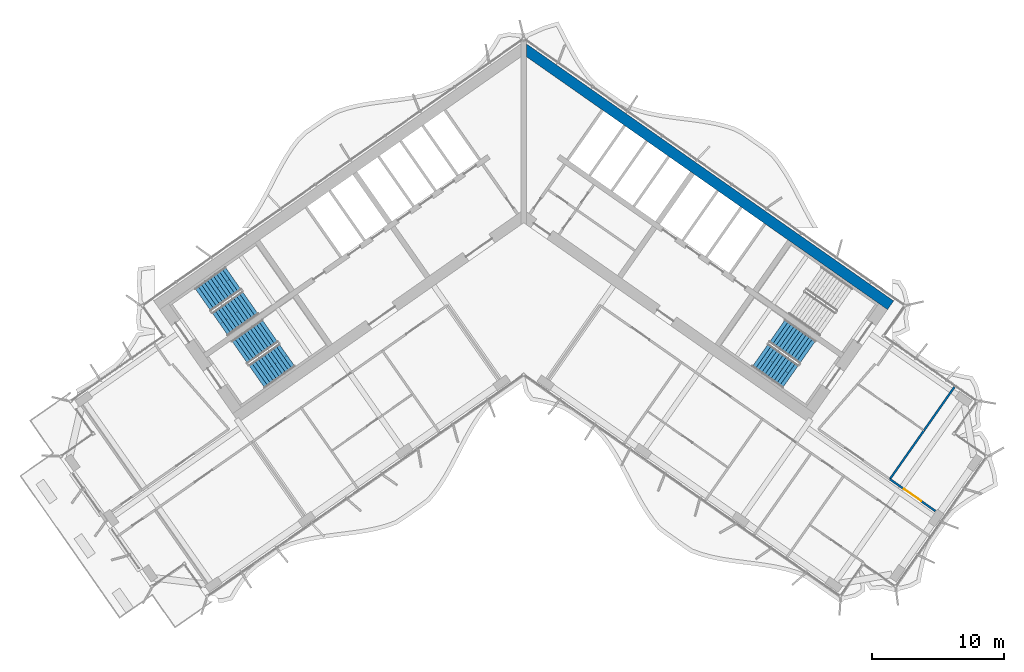
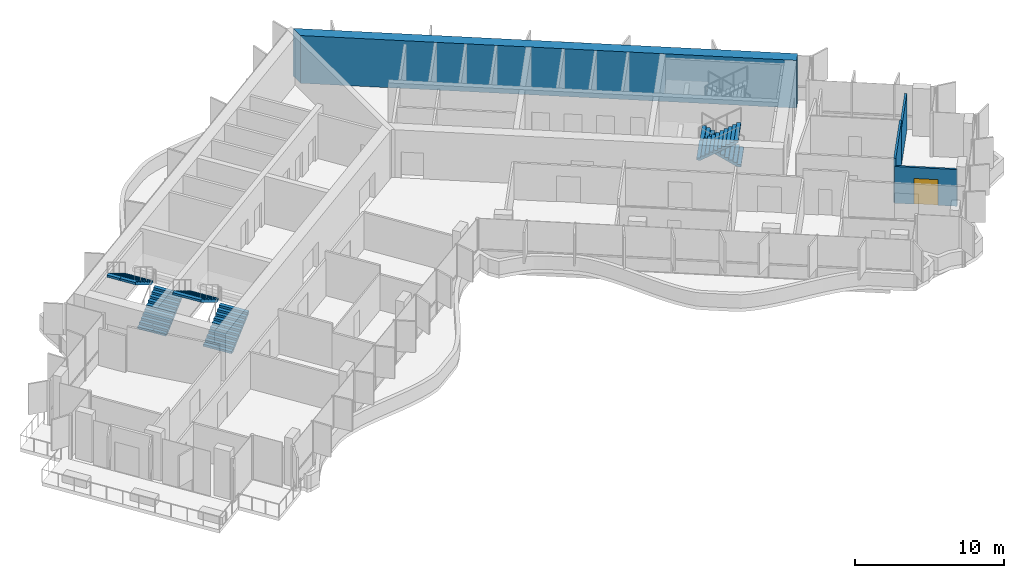
# One storey, part 15 of 22: 6 stair flights, 4 walls, 1 door, 1 opening, 3 elements without a shape of their own.
"""IFC4 building model written with IfcOpenShell, lengths in metres."""

import ifcopenshell
import ifcopenshell.guid

model = None  # the IFC model being written
_history = None  # IfcOwnerHistory: only IFC2X3 demands one
_inside = {}  # id of a spatial element -> (the spatial element, [elements in it])
_under = {}  # id of a project, library or spatial element -> (it, [spatial elements below it])
_declared = {}  # id of a project -> (the project, [libraries it declares])
_typed = {}  # id of a type object -> (the type object, [elements of that type])
_made_of = {}  # id of a material, layer set ... -> (it, [elements and type objects made of it])


def new_model(schema):
    """Start an empty IFC model of exactly this schema.

    Asked for "IFC4X3", IfcOpenShell would pick the latest addendum, in which some entities
    have other attributes; the version numbers below select the first issue.
    IFC2X3 requires an IfcOwnerHistory on every rooted entity: one is made here for all.
    """
    global model, _history
    if schema == "IFC4X3":
        model = ifcopenshell.file(schema_version=(4, 3, 0, 0))
    else:
        model = ifcopenshell.file(schema=schema)
    _inside.clear()
    _under.clear()
    _declared.clear()
    _typed.clear()
    _made_of.clear()
    _history = None
    if model.schema == "IFC2X3":
        org = make("IfcOrganization", Name="unknown")
        user = make(
            "IfcPersonAndOrganization",
            ThePerson=make("IfcPerson", FamilyName="unknown"),
            TheOrganization=org,
        )
        app = make(
            "IfcApplication",
            ApplicationDeveloper=org,
            Version="unknown",
            ApplicationFullName="unknown",
            ApplicationIdentifier="unknown",
        )
        _history = make(
            "IfcOwnerHistory",
            OwningUser=user,
            OwningApplication=app,
            ChangeAction="ADDED",
            CreationDate=0,
        )
    return model


def make(cls, **values):
    """One entity of the class cls with the attributes given. An attribute that is None is left unset."""
    return model.create_entity(
        cls, **{name: value for name, value in values.items() if value is not None}
    )


def rooted(cls, **values):
    """An entity with a GlobalId (a new one), such as an element, a storey or a relation."""
    return make(cls, GlobalId=ifcopenshell.guid.new(), OwnerHistory=_history, **values)


def si_unit(unit_type, name, prefix=None):
    """IfcSIUnit, for example si_unit("LENGTHUNIT", "METRE", prefix="MILLI")."""
    return make("IfcSIUnit", UnitType=unit_type, Prefix=prefix, Name=name)


def assignment(units):
    """IfcUnitAssignment: the units of a project."""
    return None if units is None else make("IfcUnitAssignment", Units=units)


def point(xyz):
    """IfcCartesianPoint."""
    return None if xyz is None else make("IfcCartesianPoint", Coordinates=xyz)


def direction(xyz):
    """IfcDirection."""
    return None if xyz is None else make("IfcDirection", DirectionRatios=xyz)


def frame(location, z_axis=None, x_axis=None):
    """IfcAxis2Placement3D, a coordinate frame: its origin and axes. An axis left out is left unset."""
    return make(
        "IfcAxis2Placement3D",
        Location=point(location),
        Axis=direction(z_axis),
        RefDirection=direction(x_axis),
    )


def frame_2d(location, x_axis=None):
    """IfcAxis2Placement2D, a coordinate frame in the plane: its origin and x axis."""
    return make(
        "IfcAxis2Placement2D", Location=point(location), RefDirection=direction(x_axis)
    )


def origin():
    """The frame at (0, 0, 0) with its axes left unset."""
    return frame((0.0, 0.0, 0.0))


def place(relative_to, where):
    """IfcLocalPlacement: puts the frame where relative to a parent placement (None: the world)."""
    return make(
        "IfcLocalPlacement", PlacementRelTo=relative_to, RelativePlacement=where
    )


def context(
    kind, dimensions, precision=None, world=None, true_north=None, identifier=None
):
    """IfcGeometricRepresentationContext, for example the 3D "Model" context."""
    return make(
        "IfcGeometricRepresentationContext",
        ContextIdentifier=identifier,
        ContextType=kind,
        CoordinateSpaceDimension=dimensions,
        Precision=precision,
        WorldCoordinateSystem=world,
        TrueNorth=true_north,
    )


def subcontext(parent, identifier, kind, view, scale=None):
    """IfcGeometricRepresentationSubContext, for example "Body" below "Model"."""
    return make(
        "IfcGeometricRepresentationSubContext",
        ContextIdentifier=identifier,
        ContextType=kind,
        ParentContext=parent,
        TargetScale=scale,
        TargetView=view,
    )


def project(units=None, contexts=None):
    """IfcProject with its units and contexts."""
    return rooted(
        "IfcProject",
        Name="project",
        RepresentationContexts=contexts,
        UnitsInContext=assignment(units),
    )


def spatial(cls, under=None, at=None, **own):
    """A site, building, storey or space (cls), placed at a placement, below another one or the project."""
    s = rooted(cls, ObjectPlacement=at, **own)
    if under is not None:
        _under.setdefault(under.id(), (under, []))[1].append(s)
    return s


def polyline(points):
    """IfcPolyline through the points."""
    return make("IfcPolyline", Points=[point(p) for p in points])


def profile(cls, at=None, kind="AREA", **sizes):
    """A parametric profile (cls). Its sizes go by their IFC names, for example OverallWidth=200.0."""
    return make(cls, ProfileType=kind, Position=at, **sizes)


def rectangle(**sizes):
    """IfcRectangleProfileDef."""
    return profile("IfcRectangleProfileDef", **sizes)


def outline(outer, holes=None, kind="AREA"):
    """IfcArbitraryClosedProfileDef: a profile drawn as a closed curve; with holes, ...WithVoids."""
    if holes is None:
        return make("IfcArbitraryClosedProfileDef", ProfileType=kind, OuterCurve=outer)
    return make(
        "IfcArbitraryProfileDefWithVoids",
        ProfileType=kind,
        OuterCurve=outer,
        InnerCurves=holes,
    )


def extrude(swept, where, along, depth):
    """IfcExtrudedAreaSolid: the profile swept, set in the frame where, extruded along a direction by depth."""
    return make(
        "IfcExtrudedAreaSolid",
        SweptArea=swept,
        Position=where,
        ExtrudedDirection=direction(along),
        Depth=depth,
    )


def shape(context_of_items, identifier, shape_type, items):
    """IfcShapeRepresentation: the items that make up one representation, for example the "Body"."""
    return make(
        "IfcShapeRepresentation",
        ContextOfItems=context_of_items,
        RepresentationIdentifier=identifier,
        RepresentationType=shape_type,
        Items=items,
    )


def material(Name=None, Category=None):
    """IfcMaterial."""
    return make("IfcMaterial", Name=Name, Category=Category)


def layer(
    of_material, thickness, ventilated=None, Name=None, Category=None, Priority=None
):
    """IfcMaterialLayer: one layer of a wall or slab, of a material (None: an air gap)."""
    return make(
        "IfcMaterialLayer",
        Material=of_material,
        LayerThickness=thickness,
        IsVentilated=ventilated,
        Name=Name,
        Category=Category,
        Priority=Priority,
    )


def layer_set(layers, Name=None):
    """IfcMaterialLayerSet."""
    return make("IfcMaterialLayerSet", MaterialLayers=layers, LayerSetName=Name)


def made_of(thing, what):
    """Note that an element or type object is made of a material, layer set ...; save() writes the relation."""
    if what is not None:
        _made_of.setdefault(what.id(), (what, []))[1].append(thing)
    return thing


def type_object(cls, material=None, **own):
    """A type object (cls), such as IfcWallType, which elements share."""
    return made_of(rooted(cls, **own), material)


def element(
    cls,
    number,
    at=None,
    inside=None,
    cuts=None,
    type_object=None,
    material=None,
    context=None,
    identifier="Body",
    shape_type=None,
    held_by="IfcProductDefinitionShape",
    body=None,
    shapes=None,
    **own,
):
    """One element of the class cls, such as IfcWall. Its Tag is "e" and its number.

    at: its placement. inside: the storey or other place that contains it. cuts: it is an
    opening in that element (IfcRelVoidsElement). A single representation is given by context,
    identifier, shape_type and body (its items); several are given by shapes. held_by: the class
    of the entity that holds the representations. save() writes the other relations.
    """
    e = rooted(cls, Tag="e%d" % number, ObjectPlacement=at, **own)
    if body is not None:
        shapes = [shape(context, identifier, shape_type, body)]
    if shapes is not None:
        e.Representation = make(held_by, Representations=shapes)
    if inside is not None:
        _inside.setdefault(inside.id(), (inside, []))[1].append(e)
    if cuts is not None:
        rooted(
            "IfcRelVoidsElement", RelatingBuildingElement=cuts, RelatedOpeningElement=e
        )
    if type_object is not None:
        _typed.setdefault(type_object.id(), (type_object, []))[1].append(e)
    return made_of(e, material)


def fill(opening, filler):
    """IfcRelFillsElement: the door or window that sits in an opening."""
    return rooted(
        "IfcRelFillsElement",
        RelatingOpeningElement=opening,
        RelatedBuildingElement=filler,
    )


def aggregate(whole, parts):
    """IfcRelAggregates: a whole, such as a stair, and the parts it consists of."""
    return rooted("IfcRelAggregates", RelatingObject=whole, RelatedObjects=parts)


def save(model, path):
    """Write the relations noted so far, then the file.

    IfcRelAggregates (storeys below a building ...), IfcRelContainedInSpatialStructure (elements
    in a storey), IfcRelDefinesByType, IfcRelAssociatesMaterial and IfcRelDeclares: one each for
    every whole, place, type object, material and project.
    """
    for whole, parts in _under.values():
        aggregate(whole, parts)
    for where, things in _inside.values():
        rooted(
            "IfcRelContainedInSpatialStructure",
            RelatedElements=things,
            RelatingStructure=where,
        )
    for kind, things in _typed.values():
        rooted("IfcRelDefinesByType", RelatedObjects=things, RelatingType=kind)
    for what, things in _made_of.values():
        rooted("IfcRelAssociatesMaterial", RelatedObjects=things, RelatingMaterial=what)
    for by, libraries in _declared.values():
        rooted("IfcRelDeclares", RelatingContext=by, RelatedDefinitions=libraries)
    model.write(path)


model = new_model("IFC4")

# Units and contexts
model_context = context("Model", 3, precision=1e-05, world=origin(), true_north=direction((0.0, 1.0)))
body_context = subcontext(model_context, "Body", "Model", "MODEL_VIEW")
ifc_project = project(units=[si_unit("LENGTHUNIT", "METRE"), si_unit("AREAUNIT", "SQUARE_METRE"), si_unit("VOLUMEUNIT", "CUBIC_METRE"), si_unit("PLANEANGLEUNIT", "RADIAN"), si_unit("MASSUNIT", "GRAM", prefix="KILO")], contexts=[model_context])

# Site, building, storey
site_placement = place(None, origin())
site = spatial("IfcSite", under=ifc_project, at=site_placement, CompositionType="ELEMENT")
building_placement = place(site_placement, origin())
building = spatial("IfcBuilding", under=site, at=building_placement, Name="Tel Ilan Convention Tower", CompositionType="ELEMENT")
storey_placement = place(building_placement, frame((0.0, 0.0, 202.199951171875)))
storey = spatial("IfcBuildingStorey", under=building, at=storey_placement, Name="L47", CompositionType="ELEMENT", Elevation=202.199951171875)

# Wall
ifc_material_1 = material(Name="Concrete C50/60", Category="concrete")
ifc_layer_1 = layer(ifc_material_1, 0.800048828125)
ifc_layer_set_1 = layer_set([ifc_layer_1], Name="Core Shear Wall 800 mm C50/60")
wall_type_1 = type_object("IfcWallType", Name="Core Shear Wall 800 mm C50/60", PredefinedType="SHEAR", material=ifc_layer_set_1)
wall_1_placement = place(storey_placement, frame((-0.029296875, 11.984130859375, 0.0), z_axis=(0.0, 0.0, 1.0), x_axis=(0.819151382952, -0.573577380837, 0.0)))
element("IfcWall", 1, at=wall_1_placement, inside=storey, type_object=wall_type_1, Name="L47 core wall E-back", PredefinedType="SHEAR", context=body_context, shape_type="SweptSolid", body=[
    extrude(outline(polyline([(33.897705078125, 0.400146484375), (-0.000244140625, 0.39990234375), (0.56005859375, -0.400146484375), (33.897705078125, -0.39990234375), (33.897705078125, 0.400146484375)])), origin(), (0.0, 0.0, 1.0), 3.900146484375),
])

# Wall, opening, door
ifc_material_2 = material(Name="Plasterboard on Steel Studs", Category="steel")
ifc_layer_2 = layer(ifc_material_2, 0.14990234375)
ifc_layer_set_2 = layer_set([ifc_layer_2], Name="Fire-rated Partition 150 EI 60")
wall_type_2 = type_object("IfcWallType", Name="Fire-rated Partition 150 EI 60", PredefinedType="PARTITIONING", material=ifc_layer_set_2)
wall_2_placement = place(storey_placement, frame((27.685546875, -20.6064453125, 0.0), z_axis=(0.0, 0.0, 1.0), x_axis=(0.81915821587, -0.573567622319, 0.0)))
wall_2 = element("IfcWall", 2, at=wall_2_placement, inside=storey, type_object=wall_type_2, Name="Partition 002", PredefinedType="PARTITIONING", context=body_context, shape_type="SweptSolid", body=[
    extrude(rectangle(XDim=4.2021484375, YDim=0.14990234375, at=frame_2d((2.10107421875, 0.0))), origin(), (0.0, 0.0, 1.0), 3.0),
])
opening_placement = place(wall_2_placement, frame((1.301025390625, 0.0, 0.0)))
opening = element("IfcOpeningElement", 3, at=opening_placement, cuts=wall_2, Name="Opening L47-018", PredefinedType="OPENING", context=body_context, shape_type="SweptSolid", body=[
    extrude(rectangle(XDim=1.60009765625, YDim=2.10009765625, at=frame_2d((0.800048828125, 1.050048828125))), frame((0.0, 0.0849609375, 0.0), z_axis=(0.0, -1.0, 0.0), x_axis=(1.0, 0.0, 0.0)), (0.0, 0.0, 1.0), 0.169921875),
])
ifc_material_3 = material(Name="Timber Door Leaf in Steel Frame", Category="steel")
door_type = type_object("IfcDoorType", Name="Tenant Suite Entrance Fire Door 1600x2100", OperationType="NOTDEFINED", PredefinedType="DOOR", material=ifc_material_3)
door_placement = place(opening_placement, origin())
door = element("IfcDoor", 4, at=door_placement, inside=storey, type_object=door_type, Name="Door L47-018", OperationType="DOUBLE_DOOR_SINGLE_SWING", OverallHeight=2.10009765625, OverallWidth=1.60009765625, PredefinedType="DOOR", context=body_context, shape_type="SweptSolid", body=[
    extrude(rectangle(XDim=1.60009765625, YDim=2.10009765625, at=frame_2d((0.800048828125, 1.050048828125))), frame((0.0, 0.02490234375, 0.0), z_axis=(0.0, -1.0, 0.0), x_axis=(1.0, 0.0, 0.0)), (0.0, 0.0, 1.0), 0.050048828125),
])
fill(opening, door)

# Walls
wall_3_placement = place(storey_placement, frame((32.5625, -13.644775390625, 0.0), z_axis=(0.0, 0.0, 1.0), x_axis=(-0.573589359699, -0.819142995112, 0.0)))
element("IfcWall", 5, at=wall_3_placement, inside=storey, type_object=wall_type_2, Name="Partition 016", PredefinedType="PARTITIONING", context=body_context, shape_type="SweptSolid", body=[
    extrude(rectangle(XDim=3.998779296875, YDim=0.14990234375, at=frame_2d((1.99951171875, 0.0))), origin(), (0.0, 0.0, 1.0), 3.0),
])
wall_4_placement = place(storey_placement, frame((30.268310546875, -16.92138671875, 0.0), z_axis=(0.0, 0.0, 1.0), x_axis=(-0.573586141663, -0.819145248471, 0.0)))
element("IfcWall", 6, at=wall_4_placement, inside=storey, type_object=wall_type_2, Name="Partition 019", PredefinedType="PARTITIONING", context=body_context, shape_type="SweptSolid", body=[
    extrude(rectangle(XDim=4.499755859375, YDim=0.14990234375, at=frame_2d((2.25, 0.0))), origin(), (0.0, 0.0, 1.0), 3.6201171875),
])

# Stair, stair flights
ifc_material_4 = material(Name="Concrete C40/50", Category="concrete")
stair_type = type_object("IfcStairType", Name="Pressurised Exit Stair 22 risers 177 mm", PredefinedType="HALF_TURN_STAIR", material=ifc_material_4)
stair_1_placement = place(storey_placement, origin())
stair_1 = element("IfcStair", 7, at=stair_1_placement, inside=storey, type_object=stair_type, Name="L47 Pressurised Stair S1", PredefinedType="HALF_TURN_STAIR")
ifc_material_5 = material(Name="Precast Concrete C40/50", Category="concrete")
stair_flight_type = type_object("IfcStairFlightType", Name="Concrete Stair Flight 2100 mm 22 risers 177 mm", PredefinedType="STRAIGHT", material=ifc_material_5)
stair_flight_1_placement = place(storey_placement, frame((-22.9619140625, -8.87548828125, 0.0), z_axis=(0.0, 0.0, 1.0), x_axis=(0.819152044289, 0.573576436351, 0.0)))
stair_flight_1 = element("IfcStairFlight", 8, at=stair_flight_1_placement, type_object=stair_flight_type, Name="S1 flight 1", NumberOfRisers=11, NumberOfTreads=10, PredefinedType="STRAIGHT", RiserHeight=0.177272727, TreadLength=0.28, context=body_context, shape_type="SweptSolid", body=[
    extrude(outline(polyline([(0.0, 0.0), (0.0, 0.17724609375), (0.280029296875, 0.17724609375), (0.280029296875, 0.3544921875), (0.56005859375, 0.3544921875), (0.56005859375, 0.53173828125), (0.840087890625, 0.53173828125), (0.840087890625, 0.708984375), (1.1201171875, 0.708984375), (1.1201171875, 0.886474609375), (1.39990234375, 0.886474609375), (1.39990234375, 1.063720703125), (1.679931640625, 1.063720703125), (1.679931640625, 1.240966796875), (1.9599609375, 1.240966796875), (1.9599609375, 1.418212890625), (2.239990234375, 1.418212890625), (2.239990234375, 1.595458984375), (2.52001953125, 1.595458984375), (2.52001953125, 1.772705078125), (2.800048828125, 1.772705078125), (2.800048828125, 1.949951171875), (2.800048828125, 1.59521484375), (0.2802734375, 0.0), (0.0, 0.0)])), frame((0.0, -0.100341796875, 0.0), z_axis=(0.0, -1.0, 0.0), x_axis=(1.0, 0.0, 0.0)), (0.0, 0.0, 1.0), 0.94970703125),
    extrude(outline(polyline([(0.0, 0.0), (0.0, 0.17724609375), (0.280029296875, 0.17724609375), (0.280029296875, 0.3544921875), (0.56005859375, 0.3544921875), (0.56005859375, 0.53173828125), (0.840087890625, 0.53173828125), (0.840087890625, 0.708984375), (1.1201171875, 0.708984375), (1.1201171875, 0.886474609375), (1.39990234375, 0.886474609375), (1.39990234375, 1.063720703125), (1.679931640625, 1.063720703125), (1.679931640625, 1.240966796875), (1.9599609375, 1.240966796875), (1.9599609375, 1.418212890625), (2.239990234375, 1.418212890625), (2.239990234375, 1.595458984375), (2.52001953125, 1.595458984375), (2.52001953125, 1.772705078125), (2.800048828125, 1.772705078125), (2.800048828125, 1.949951171875), (2.800048828125, 1.59521484375), (0.2802734375, 0.0), (0.0, 0.0)])), frame((0.0, -0.000244140625, 0.0), z_axis=(0.0, -1.0, 0.0), x_axis=(1.0, 0.0, 0.0)), (0.0, 0.0, 1.0), 0.099609375),
    extrude(outline(polyline([(0.0, 0.0), (0.0, 0.17724609375), (0.280029296875, 0.17724609375), (0.280029296875, 0.3544921875), (0.56005859375, 0.3544921875), (0.56005859375, 0.53173828125), (0.840087890625, 0.53173828125), (0.840087890625, 0.708984375), (1.1201171875, 0.708984375), (1.1201171875, 0.886474609375), (1.39990234375, 0.886474609375), (1.39990234375, 1.063720703125), (1.679931640625, 1.063720703125), (1.679931640625, 1.240966796875), (1.9599609375, 1.240966796875), (1.9599609375, 1.418212890625), (2.239990234375, 1.418212890625), (2.239990234375, 1.595458984375), (2.52001953125, 1.595458984375), (2.52001953125, 1.772705078125), (2.800048828125, 1.772705078125), (2.800048828125, 1.949951171875), (2.800048828125, 1.59521484375), (0.2802734375, 0.0), (0.0, 0.0)])), frame((0.0, 0.099853515625, 0.0), z_axis=(0.0, -1.0, 0.0), x_axis=(1.0, 0.0, 0.0)), (0.0, 0.0, 1.0), 0.099609375),
    extrude(outline(polyline([(0.0, 0.0), (0.0, 0.17724609375), (0.280029296875, 0.17724609375), (0.280029296875, 0.3544921875), (0.56005859375, 0.3544921875), (0.56005859375, 0.53173828125), (0.840087890625, 0.53173828125), (0.840087890625, 0.708984375), (1.1201171875, 0.708984375), (1.1201171875, 0.886474609375), (1.39990234375, 0.886474609375), (1.39990234375, 1.063720703125), (1.679931640625, 1.063720703125), (1.679931640625, 1.240966796875), (1.9599609375, 1.240966796875), (1.9599609375, 1.418212890625), (2.239990234375, 1.418212890625), (2.239990234375, 1.595458984375), (2.52001953125, 1.595458984375), (2.52001953125, 1.772705078125), (2.800048828125, 1.772705078125), (2.800048828125, 1.949951171875), (2.800048828125, 1.59521484375), (0.2802734375, 0.0), (0.0, 0.0)])), frame((0.0, 1.050048828125, 0.0), z_axis=(0.0, -1.0, 0.0), x_axis=(1.0, 0.0, 0.0)), (0.0, 0.0, 1.0), 0.94970703125),
])
stair_flight_2_placement = place(storey_placement, frame((-21.958740234375, -5.42626953125, 1.949951171875), z_axis=(0.0, 0.0, 1.0), x_axis=(-0.819152044289, -0.573576436351, 0.0)))
stair_flight_2 = element("IfcStairFlight", 9, at=stair_flight_2_placement, type_object=stair_flight_type, Name="S1 flight 2", NumberOfRisers=11, NumberOfTreads=10, PredefinedType="STRAIGHT", RiserHeight=0.177272727, TreadLength=0.28, context=body_context, shape_type="SweptSolid", body=[
    extrude(outline(polyline([(0.0, 0.0), (0.0, 0.17724609375), (0.280029296875, 0.17724609375), (0.280029296875, 0.3544921875), (0.56005859375, 0.3544921875), (0.56005859375, 0.53173828125), (0.840087890625, 0.53173828125), (0.840087890625, 0.708984375), (1.1201171875, 0.708984375), (1.1201171875, 0.886474609375), (1.39990234375, 0.886474609375), (1.39990234375, 1.063720703125), (1.679931640625, 1.063720703125), (1.679931640625, 1.240966796875), (1.9599609375, 1.240966796875), (1.9599609375, 1.418212890625), (2.239990234375, 1.418212890625), (2.239990234375, 1.595458984375), (2.52001953125, 1.595458984375), (2.52001953125, 1.772705078125), (2.800048828125, 1.772705078125), (2.800048828125, 1.949951171875), (2.800048828125, 1.59521484375), (0.2802734375, 0.0), (0.0, 0.0)])), frame((0.0, -0.100341796875, 0.0), z_axis=(0.0, -1.0, 0.0), x_axis=(1.0, 0.0, 0.0)), (0.0, 0.0, 1.0), 0.94970703125),
    extrude(outline(polyline([(0.0, 0.0), (0.0, 0.17724609375), (0.280029296875, 0.17724609375), (0.280029296875, 0.3544921875), (0.56005859375, 0.3544921875), (0.56005859375, 0.53173828125), (0.840087890625, 0.53173828125), (0.840087890625, 0.708984375), (1.1201171875, 0.708984375), (1.1201171875, 0.886474609375), (1.39990234375, 0.886474609375), (1.39990234375, 1.063720703125), (1.679931640625, 1.063720703125), (1.679931640625, 1.240966796875), (1.9599609375, 1.240966796875), (1.9599609375, 1.418212890625), (2.239990234375, 1.418212890625), (2.239990234375, 1.595458984375), (2.52001953125, 1.595458984375), (2.52001953125, 1.772705078125), (2.800048828125, 1.772705078125), (2.800048828125, 1.949951171875), (2.800048828125, 1.59521484375), (0.2802734375, 0.0), (0.0, 0.0)])), frame((0.0, -0.000244140625, 0.0), z_axis=(0.0, -1.0, 0.0), x_axis=(1.0, 0.0, 0.0)), (0.0, 0.0, 1.0), 0.099609375),
    extrude(outline(polyline([(0.0, 0.0), (0.0, 0.17724609375), (0.280029296875, 0.17724609375), (0.280029296875, 0.3544921875), (0.56005859375, 0.3544921875), (0.56005859375, 0.53173828125), (0.840087890625, 0.53173828125), (0.840087890625, 0.708984375), (1.1201171875, 0.708984375), (1.1201171875, 0.886474609375), (1.39990234375, 0.886474609375), (1.39990234375, 1.063720703125), (1.679931640625, 1.063720703125), (1.679931640625, 1.240966796875), (1.9599609375, 1.240966796875), (1.9599609375, 1.418212890625), (2.239990234375, 1.418212890625), (2.239990234375, 1.595458984375), (2.52001953125, 1.595458984375), (2.52001953125, 1.772705078125), (2.800048828125, 1.772705078125), (2.800048828125, 1.949951171875), (2.800048828125, 1.59521484375), (0.2802734375, 0.0), (0.0, 0.0)])), frame((0.0, 0.099853515625, 0.0), z_axis=(0.0, -1.0, 0.0), x_axis=(1.0, 0.0, 0.0)), (0.0, 0.0, 1.0), 0.099609375),
    extrude(outline(polyline([(0.0, 0.0), (0.0, 0.17724609375), (0.280029296875, 0.17724609375), (0.280029296875, 0.3544921875), (0.56005859375, 0.3544921875), (0.56005859375, 0.53173828125), (0.840087890625, 0.53173828125), (0.840087890625, 0.708984375), (1.1201171875, 0.708984375), (1.1201171875, 0.886474609375), (1.39990234375, 0.886474609375), (1.39990234375, 1.063720703125), (1.679931640625, 1.063720703125), (1.679931640625, 1.240966796875), (1.9599609375, 1.240966796875), (1.9599609375, 1.418212890625), (2.239990234375, 1.418212890625), (2.239990234375, 1.595458984375), (2.52001953125, 1.595458984375), (2.52001953125, 1.772705078125), (2.800048828125, 1.772705078125), (2.800048828125, 1.949951171875), (2.800048828125, 1.59521484375), (0.2802734375, 0.0), (0.0, 0.0)])), frame((0.0, 1.050048828125, 0.0), z_axis=(0.0, -1.0, 0.0), x_axis=(1.0, 0.0, 0.0)), (0.0, 0.0, 1.0), 0.94970703125),
])
aggregate(stair_1, [stair_flight_1, stair_flight_2])

stair_2_placement = place(storey_placement, origin())
stair_2 = element("IfcStair", 10, at=stair_2_placement, inside=storey, type_object=stair_type, Name="L47 Pressurised Stair S2", PredefinedType="HALF_TURN_STAIR")
stair_flight_3_placement = place(storey_placement, frame((-20.179931640625, -12.848388671875, 0.0), z_axis=(0.0, 0.0, 1.0), x_axis=(0.819152044289, 0.573576436351, 0.0)))
stair_flight_3 = element("IfcStairFlight", 11, at=stair_flight_3_placement, type_object=stair_flight_type, Name="S2 flight 1", NumberOfRisers=11, NumberOfTreads=10, PredefinedType="STRAIGHT", RiserHeight=0.177272727, TreadLength=0.28, context=body_context, shape_type="SweptSolid", body=[
    extrude(outline(polyline([(0.0, 0.0), (0.0, 0.17724609375), (0.280029296875, 0.17724609375), (0.280029296875, 0.3544921875), (0.56005859375, 0.3544921875), (0.56005859375, 0.53173828125), (0.840087890625, 0.53173828125), (0.840087890625, 0.708984375), (1.1201171875, 0.708984375), (1.1201171875, 0.886474609375), (1.39990234375, 0.886474609375), (1.39990234375, 1.063720703125), (1.679931640625, 1.063720703125), (1.679931640625, 1.240966796875), (1.9599609375, 1.240966796875), (1.9599609375, 1.418212890625), (2.239990234375, 1.418212890625), (2.239990234375, 1.595458984375), (2.52001953125, 1.595458984375), (2.52001953125, 1.772705078125), (2.800048828125, 1.772705078125), (2.800048828125, 1.949951171875), (2.800048828125, 1.59521484375), (0.2802734375, 0.0), (0.0, 0.0)])), frame((0.0, -0.100341796875, 0.0), z_axis=(0.0, -1.0, 0.0), x_axis=(1.0, 0.0, 0.0)), (0.0, 0.0, 1.0), 0.94970703125),
    extrude(outline(polyline([(0.0, 0.0), (0.0, 0.17724609375), (0.280029296875, 0.17724609375), (0.280029296875, 0.3544921875), (0.56005859375, 0.3544921875), (0.56005859375, 0.53173828125), (0.840087890625, 0.53173828125), (0.840087890625, 0.708984375), (1.1201171875, 0.708984375), (1.1201171875, 0.886474609375), (1.39990234375, 0.886474609375), (1.39990234375, 1.063720703125), (1.679931640625, 1.063720703125), (1.679931640625, 1.240966796875), (1.9599609375, 1.240966796875), (1.9599609375, 1.418212890625), (2.239990234375, 1.418212890625), (2.239990234375, 1.595458984375), (2.52001953125, 1.595458984375), (2.52001953125, 1.772705078125), (2.800048828125, 1.772705078125), (2.800048828125, 1.949951171875), (2.800048828125, 1.59521484375), (0.2802734375, 0.0), (0.0, 0.0)])), frame((0.0, -0.000244140625, 0.0), z_axis=(0.0, -1.0, 0.0), x_axis=(1.0, 0.0, 0.0)), (0.0, 0.0, 1.0), 0.099609375),
    extrude(outline(polyline([(0.0, 0.0), (0.0, 0.17724609375), (0.280029296875, 0.17724609375), (0.280029296875, 0.3544921875), (0.56005859375, 0.3544921875), (0.56005859375, 0.53173828125), (0.840087890625, 0.53173828125), (0.840087890625, 0.708984375), (1.1201171875, 0.708984375), (1.1201171875, 0.886474609375), (1.39990234375, 0.886474609375), (1.39990234375, 1.063720703125), (1.679931640625, 1.063720703125), (1.679931640625, 1.240966796875), (1.9599609375, 1.240966796875), (1.9599609375, 1.418212890625), (2.239990234375, 1.418212890625), (2.239990234375, 1.595458984375), (2.52001953125, 1.595458984375), (2.52001953125, 1.772705078125), (2.800048828125, 1.772705078125), (2.800048828125, 1.949951171875), (2.800048828125, 1.59521484375), (0.2802734375, 0.0), (0.0, 0.0)])), frame((0.0, 0.099853515625, 0.0), z_axis=(0.0, -1.0, 0.0), x_axis=(1.0, 0.0, 0.0)), (0.0, 0.0, 1.0), 0.099609375),
    extrude(outline(polyline([(0.0, 0.0), (0.0, 0.17724609375), (0.280029296875, 0.17724609375), (0.280029296875, 0.3544921875), (0.56005859375, 0.3544921875), (0.56005859375, 0.53173828125), (0.840087890625, 0.53173828125), (0.840087890625, 0.708984375), (1.1201171875, 0.708984375), (1.1201171875, 0.886474609375), (1.39990234375, 0.886474609375), (1.39990234375, 1.063720703125), (1.679931640625, 1.063720703125), (1.679931640625, 1.240966796875), (1.9599609375, 1.240966796875), (1.9599609375, 1.418212890625), (2.239990234375, 1.418212890625), (2.239990234375, 1.595458984375), (2.52001953125, 1.595458984375), (2.52001953125, 1.772705078125), (2.800048828125, 1.772705078125), (2.800048828125, 1.949951171875), (2.800048828125, 1.59521484375), (0.2802734375, 0.0), (0.0, 0.0)])), frame((0.0, 1.050048828125, 0.0), z_axis=(0.0, -1.0, 0.0), x_axis=(1.0, 0.0, 0.0)), (0.0, 0.0, 1.0), 0.94970703125),
])
stair_flight_4_placement = place(storey_placement, frame((-19.177001953125, -9.399169921875, 1.949951171875), z_axis=(0.0, 0.0, 1.0), x_axis=(-0.819152044289, -0.573576436351, 0.0)))
stair_flight_4 = element("IfcStairFlight", 12, at=stair_flight_4_placement, type_object=stair_flight_type, Name="S2 flight 2", NumberOfRisers=11, NumberOfTreads=10, PredefinedType="STRAIGHT", RiserHeight=0.177272727, TreadLength=0.28, context=body_context, shape_type="SweptSolid", body=[
    extrude(outline(polyline([(0.0, 0.0), (0.0, 0.17724609375), (0.280029296875, 0.17724609375), (0.280029296875, 0.3544921875), (0.56005859375, 0.3544921875), (0.56005859375, 0.53173828125), (0.840087890625, 0.53173828125), (0.840087890625, 0.708984375), (1.1201171875, 0.708984375), (1.1201171875, 0.886474609375), (1.39990234375, 0.886474609375), (1.39990234375, 1.063720703125), (1.679931640625, 1.063720703125), (1.679931640625, 1.240966796875), (1.9599609375, 1.240966796875), (1.9599609375, 1.418212890625), (2.239990234375, 1.418212890625), (2.239990234375, 1.595458984375), (2.52001953125, 1.595458984375), (2.52001953125, 1.772705078125), (2.800048828125, 1.772705078125), (2.800048828125, 1.949951171875), (2.800048828125, 1.59521484375), (0.2802734375, 0.0), (0.0, 0.0)])), frame((0.0, -0.100341796875, 0.0), z_axis=(0.0, -1.0, 0.0), x_axis=(1.0, 0.0, 0.0)), (0.0, 0.0, 1.0), 0.94970703125),
    extrude(outline(polyline([(0.0, 0.0), (0.0, 0.17724609375), (0.280029296875, 0.17724609375), (0.280029296875, 0.3544921875), (0.56005859375, 0.3544921875), (0.56005859375, 0.53173828125), (0.840087890625, 0.53173828125), (0.840087890625, 0.708984375), (1.1201171875, 0.708984375), (1.1201171875, 0.886474609375), (1.39990234375, 0.886474609375), (1.39990234375, 1.063720703125), (1.679931640625, 1.063720703125), (1.679931640625, 1.240966796875), (1.9599609375, 1.240966796875), (1.9599609375, 1.418212890625), (2.239990234375, 1.418212890625), (2.239990234375, 1.595458984375), (2.52001953125, 1.595458984375), (2.52001953125, 1.772705078125), (2.800048828125, 1.772705078125), (2.800048828125, 1.949951171875), (2.800048828125, 1.59521484375), (0.2802734375, 0.0), (0.0, 0.0)])), frame((0.0, -0.000244140625, 0.0), z_axis=(0.0, -1.0, 0.0), x_axis=(1.0, 0.0, 0.0)), (0.0, 0.0, 1.0), 0.099609375),
    extrude(outline(polyline([(0.0, 0.0), (0.0, 0.17724609375), (0.280029296875, 0.17724609375), (0.280029296875, 0.3544921875), (0.56005859375, 0.3544921875), (0.56005859375, 0.53173828125), (0.840087890625, 0.53173828125), (0.840087890625, 0.708984375), (1.1201171875, 0.708984375), (1.1201171875, 0.886474609375), (1.39990234375, 0.886474609375), (1.39990234375, 1.063720703125), (1.679931640625, 1.063720703125), (1.679931640625, 1.240966796875), (1.9599609375, 1.240966796875), (1.9599609375, 1.418212890625), (2.239990234375, 1.418212890625), (2.239990234375, 1.595458984375), (2.52001953125, 1.595458984375), (2.52001953125, 1.772705078125), (2.800048828125, 1.772705078125), (2.800048828125, 1.949951171875), (2.800048828125, 1.59521484375), (0.2802734375, 0.0), (0.0, 0.0)])), frame((0.0, 0.099853515625, 0.0), z_axis=(0.0, -1.0, 0.0), x_axis=(1.0, 0.0, 0.0)), (0.0, 0.0, 1.0), 0.099609375),
    extrude(outline(polyline([(0.0, 0.0), (0.0, 0.17724609375), (0.280029296875, 0.17724609375), (0.280029296875, 0.3544921875), (0.56005859375, 0.3544921875), (0.56005859375, 0.53173828125), (0.840087890625, 0.53173828125), (0.840087890625, 0.708984375), (1.1201171875, 0.708984375), (1.1201171875, 0.886474609375), (1.39990234375, 0.886474609375), (1.39990234375, 1.063720703125), (1.679931640625, 1.063720703125), (1.679931640625, 1.240966796875), (1.9599609375, 1.240966796875), (1.9599609375, 1.418212890625), (2.239990234375, 1.418212890625), (2.239990234375, 1.595458984375), (2.52001953125, 1.595458984375), (2.52001953125, 1.772705078125), (2.800048828125, 1.772705078125), (2.800048828125, 1.949951171875), (2.800048828125, 1.59521484375), (0.2802734375, 0.0), (0.0, 0.0)])), frame((0.0, 1.050048828125, 0.0), z_axis=(0.0, -1.0, 0.0), x_axis=(1.0, 0.0, 0.0)), (0.0, 0.0, 1.0), 0.94970703125),
])
aggregate(stair_2, [stair_flight_3, stair_flight_4])

stair_3_placement = place(storey_placement, origin())
stair_3 = element("IfcStair", 13, at=stair_3_placement, inside=storey, type_object=stair_type, Name="L47 Pressurised Stair S4", PredefinedType="HALF_TURN_STAIR")
stair_flight_5_placement = place(storey_placement, frame((21.470458984375, -11.00537109375, 0.0), z_axis=(0.0, 0.0, 1.0), x_axis=(-0.819152044289, 0.573576436351, 0.0)))
stair_flight_5 = element("IfcStairFlight", 14, at=stair_flight_5_placement, type_object=stair_flight_type, Name="S4 flight 1", NumberOfRisers=11, NumberOfTreads=10, PredefinedType="STRAIGHT", RiserHeight=0.177272727, TreadLength=0.28, context=body_context, shape_type="SweptSolid", body=[
    extrude(outline(polyline([(0.0, 0.0), (0.0, 0.17724609375), (0.280029296875, 0.17724609375), (0.280029296875, 0.3544921875), (0.56005859375, 0.3544921875), (0.56005859375, 0.53173828125), (0.840087890625, 0.53173828125), (0.840087890625, 0.708984375), (1.1201171875, 0.708984375), (1.1201171875, 0.886474609375), (1.39990234375, 0.886474609375), (1.39990234375, 1.063720703125), (1.679931640625, 1.063720703125), (1.679931640625, 1.240966796875), (1.9599609375, 1.240966796875), (1.9599609375, 1.418212890625), (2.239990234375, 1.418212890625), (2.239990234375, 1.595458984375), (2.52001953125, 1.595458984375), (2.52001953125, 1.772705078125), (2.800048828125, 1.772705078125), (2.800048828125, 1.949951171875), (2.800048828125, 1.59521484375), (0.2802734375, 0.0), (0.0, 0.0)])), frame((0.0, -0.100341796875, 0.0), z_axis=(0.0, -1.0, 0.0), x_axis=(1.0, 0.0, 0.0)), (0.0, 0.0, 1.0), 0.94970703125),
    extrude(outline(polyline([(0.0, 0.0), (0.0, 0.17724609375), (0.280029296875, 0.17724609375), (0.280029296875, 0.3544921875), (0.56005859375, 0.3544921875), (0.56005859375, 0.53173828125), (0.840087890625, 0.53173828125), (0.840087890625, 0.708984375), (1.1201171875, 0.708984375), (1.1201171875, 0.886474609375), (1.39990234375, 0.886474609375), (1.39990234375, 1.063720703125), (1.679931640625, 1.063720703125), (1.679931640625, 1.240966796875), (1.9599609375, 1.240966796875), (1.9599609375, 1.418212890625), (2.239990234375, 1.418212890625), (2.239990234375, 1.595458984375), (2.52001953125, 1.595458984375), (2.52001953125, 1.772705078125), (2.800048828125, 1.772705078125), (2.800048828125, 1.949951171875), (2.800048828125, 1.59521484375), (0.2802734375, 0.0), (0.0, 0.0)])), frame((0.0, -0.000244140625, 0.0), z_axis=(0.0, -1.0, 0.0), x_axis=(1.0, 0.0, 0.0)), (0.0, 0.0, 1.0), 0.099609375),
    extrude(outline(polyline([(0.0, 0.0), (0.0, 0.17724609375), (0.280029296875, 0.17724609375), (0.280029296875, 0.3544921875), (0.56005859375, 0.3544921875), (0.56005859375, 0.53173828125), (0.840087890625, 0.53173828125), (0.840087890625, 0.708984375), (1.1201171875, 0.708984375), (1.1201171875, 0.886474609375), (1.39990234375, 0.886474609375), (1.39990234375, 1.063720703125), (1.679931640625, 1.063720703125), (1.679931640625, 1.240966796875), (1.9599609375, 1.240966796875), (1.9599609375, 1.418212890625), (2.239990234375, 1.418212890625), (2.239990234375, 1.595458984375), (2.52001953125, 1.595458984375), (2.52001953125, 1.772705078125), (2.800048828125, 1.772705078125), (2.800048828125, 1.949951171875), (2.800048828125, 1.59521484375), (0.2802734375, 0.0), (0.0, 0.0)])), frame((0.0, 0.099853515625, 0.0), z_axis=(0.0, -1.0, 0.0), x_axis=(1.0, 0.0, 0.0)), (0.0, 0.0, 1.0), 0.099609375),
    extrude(outline(polyline([(0.0, 0.0), (0.0, 0.17724609375), (0.280029296875, 0.17724609375), (0.280029296875, 0.3544921875), (0.56005859375, 0.3544921875), (0.56005859375, 0.53173828125), (0.840087890625, 0.53173828125), (0.840087890625, 0.708984375), (1.1201171875, 0.708984375), (1.1201171875, 0.886474609375), (1.39990234375, 0.886474609375), (1.39990234375, 1.063720703125), (1.679931640625, 1.063720703125), (1.679931640625, 1.240966796875), (1.9599609375, 1.240966796875), (1.9599609375, 1.418212890625), (2.239990234375, 1.418212890625), (2.239990234375, 1.595458984375), (2.52001953125, 1.595458984375), (2.52001953125, 1.772705078125), (2.800048828125, 1.772705078125), (2.800048828125, 1.949951171875), (2.800048828125, 1.59521484375), (0.2802734375, 0.0), (0.0, 0.0)])), frame((0.0, 1.050048828125, 0.0), z_axis=(0.0, -1.0, 0.0), x_axis=(1.0, 0.0, 0.0)), (0.0, 0.0, 1.0), 0.94970703125),
])
stair_flight_6_placement = place(storey_placement, frame((17.886474609375, -11.242431640625, 1.949951171875), z_axis=(0.0, 0.0, 1.0), x_axis=(0.819152044289, -0.573576436351, 0.0)))
stair_flight_6 = element("IfcStairFlight", 15, at=stair_flight_6_placement, type_object=stair_flight_type, Name="S4 flight 2", NumberOfRisers=11, NumberOfTreads=10, PredefinedType="STRAIGHT", RiserHeight=0.177272727, TreadLength=0.28, context=body_context, shape_type="SweptSolid", body=[
    extrude(outline(polyline([(0.0, 0.0), (0.0, 0.17724609375), (0.280029296875, 0.17724609375), (0.280029296875, 0.3544921875), (0.56005859375, 0.3544921875), (0.56005859375, 0.53173828125), (0.840087890625, 0.53173828125), (0.840087890625, 0.708984375), (1.1201171875, 0.708984375), (1.1201171875, 0.886474609375), (1.39990234375, 0.886474609375), (1.39990234375, 1.063720703125), (1.679931640625, 1.063720703125), (1.679931640625, 1.240966796875), (1.9599609375, 1.240966796875), (1.9599609375, 1.418212890625), (2.239990234375, 1.418212890625), (2.239990234375, 1.595458984375), (2.52001953125, 1.595458984375), (2.52001953125, 1.772705078125), (2.800048828125, 1.772705078125), (2.800048828125, 1.949951171875), (2.800048828125, 1.59521484375), (0.2802734375, 0.0), (0.0, 0.0)])), frame((0.0, -0.100341796875, 0.0), z_axis=(0.0, -1.0, 0.0), x_axis=(1.0, 0.0, 0.0)), (0.0, 0.0, 1.0), 0.94970703125),
    extrude(outline(polyline([(0.0, 0.0), (0.0, 0.17724609375), (0.280029296875, 0.17724609375), (0.280029296875, 0.3544921875), (0.56005859375, 0.3544921875), (0.56005859375, 0.53173828125), (0.840087890625, 0.53173828125), (0.840087890625, 0.708984375), (1.1201171875, 0.708984375), (1.1201171875, 0.886474609375), (1.39990234375, 0.886474609375), (1.39990234375, 1.063720703125), (1.679931640625, 1.063720703125), (1.679931640625, 1.240966796875), (1.9599609375, 1.240966796875), (1.9599609375, 1.418212890625), (2.239990234375, 1.418212890625), (2.239990234375, 1.595458984375), (2.52001953125, 1.595458984375), (2.52001953125, 1.772705078125), (2.800048828125, 1.772705078125), (2.800048828125, 1.949951171875), (2.800048828125, 1.59521484375), (0.2802734375, 0.0), (0.0, 0.0)])), frame((0.0, -0.000244140625, 0.0), z_axis=(0.0, -1.0, 0.0), x_axis=(1.0, 0.0, 0.0)), (0.0, 0.0, 1.0), 0.099609375),
    extrude(outline(polyline([(0.0, 0.0), (0.0, 0.17724609375), (0.280029296875, 0.17724609375), (0.280029296875, 0.3544921875), (0.56005859375, 0.3544921875), (0.56005859375, 0.53173828125), (0.840087890625, 0.53173828125), (0.840087890625, 0.708984375), (1.1201171875, 0.708984375), (1.1201171875, 0.886474609375), (1.39990234375, 0.886474609375), (1.39990234375, 1.063720703125), (1.679931640625, 1.063720703125), (1.679931640625, 1.240966796875), (1.9599609375, 1.240966796875), (1.9599609375, 1.418212890625), (2.239990234375, 1.418212890625), (2.239990234375, 1.595458984375), (2.52001953125, 1.595458984375), (2.52001953125, 1.772705078125), (2.800048828125, 1.772705078125), (2.800048828125, 1.949951171875), (2.800048828125, 1.59521484375), (0.2802734375, 0.0), (0.0, 0.0)])), frame((0.0, 0.099853515625, 0.0), z_axis=(0.0, -1.0, 0.0), x_axis=(1.0, 0.0, 0.0)), (0.0, 0.0, 1.0), 0.099609375),
    extrude(outline(polyline([(0.0, 0.0), (0.0, 0.17724609375), (0.280029296875, 0.17724609375), (0.280029296875, 0.3544921875), (0.56005859375, 0.3544921875), (0.56005859375, 0.53173828125), (0.840087890625, 0.53173828125), (0.840087890625, 0.708984375), (1.1201171875, 0.708984375), (1.1201171875, 0.886474609375), (1.39990234375, 0.886474609375), (1.39990234375, 1.063720703125), (1.679931640625, 1.063720703125), (1.679931640625, 1.240966796875), (1.9599609375, 1.240966796875), (1.9599609375, 1.418212890625), (2.239990234375, 1.418212890625), (2.239990234375, 1.595458984375), (2.52001953125, 1.595458984375), (2.52001953125, 1.772705078125), (2.800048828125, 1.772705078125), (2.800048828125, 1.949951171875), (2.800048828125, 1.59521484375), (0.2802734375, 0.0), (0.0, 0.0)])), frame((0.0, 1.050048828125, 0.0), z_axis=(0.0, -1.0, 0.0), x_axis=(1.0, 0.0, 0.0)), (0.0, 0.0, 1.0), 0.94970703125),
])
aggregate(stair_3, [stair_flight_5, stair_flight_6])

save(model, "model.ifc")
